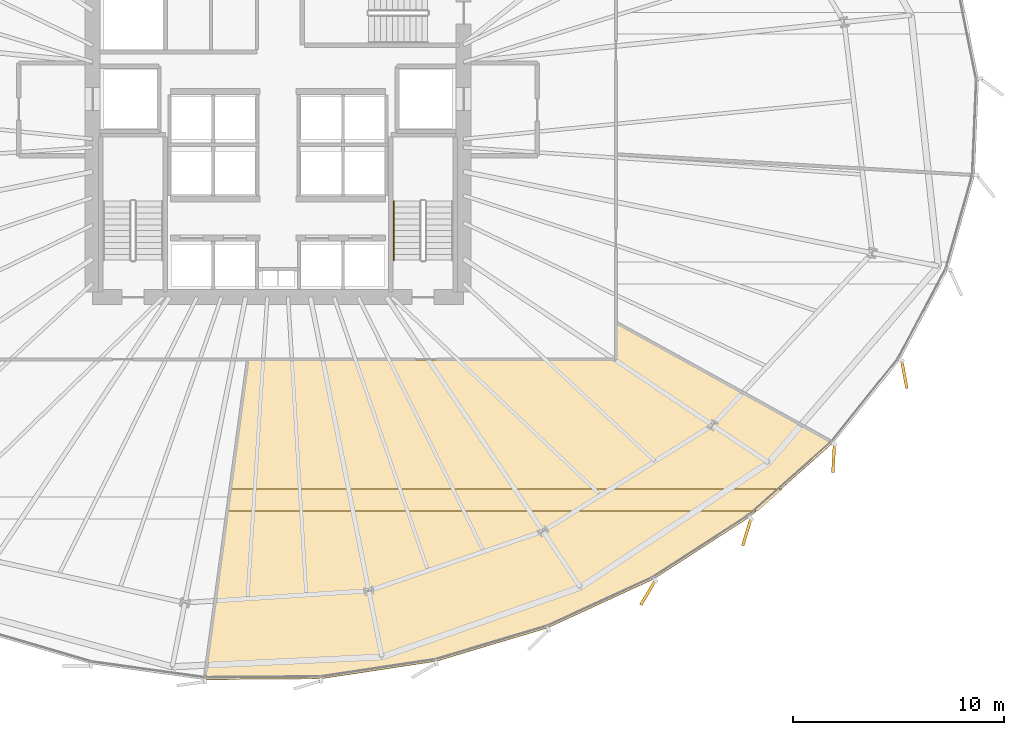
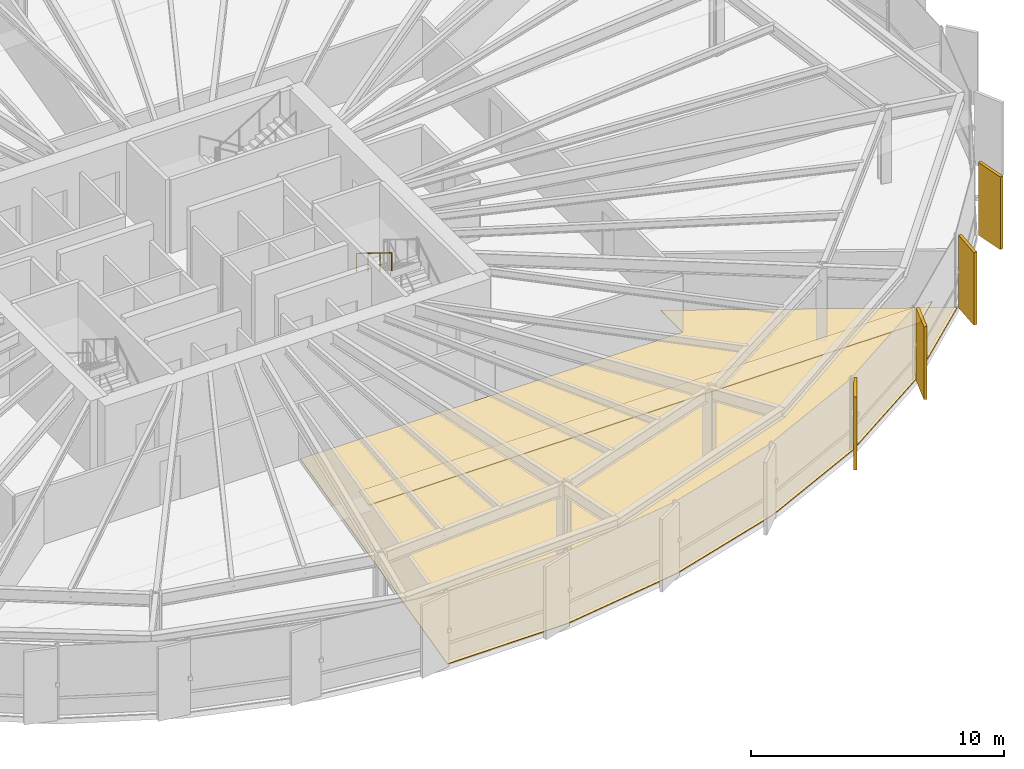
# One storey, part 35 of 37: 6 coverings, 1 railing.
"""IFC4 building model written with IfcOpenShell, lengths in metres."""

from ifc_helpers import new_model, si_unit, direction, frame, origin, origin_2d, place, context, subcontext, project, spatial, polyline, rectangle, circle, outline, extrude, source, transform, mapped, material, layer, layer_set, type_object, element, save


model = new_model("IFC4")

# Units and contexts
model_context = context("Model", 3, precision=1e-05, world=origin(), true_north=direction((0.0, 1.0)))
body_context = subcontext(model_context, "Body", "Model", "MODEL_VIEW")
ifc_project = project(units=[si_unit("LENGTHUNIT", "METRE"), si_unit("AREAUNIT", "SQUARE_METRE"), si_unit("VOLUMEUNIT", "CUBIC_METRE"), si_unit("PLANEANGLEUNIT", "RADIAN"), si_unit("MASSUNIT", "GRAM", prefix="KILO"), si_unit("THERMODYNAMICTEMPERATUREUNIT", "KELVIN")], contexts=[model_context])

# Site, building, storey
site_placement = place(None, origin())
site = spatial("IfcSite", under=ifc_project, at=site_placement, CompositionType="ELEMENT")
building_placement = place(site_placement, origin())
building = spatial("IfcBuilding", under=site, at=building_placement, Name="Kethvar Cultural Tower", CompositionType="ELEMENT")
storey_placement = place(building_placement, frame((0.0, 0.0, 48.60009765625)))
storey = spatial("IfcBuildingStorey", under=building, at=storey_placement, Name="L11", CompositionType="ELEMENT", Elevation=48.60009765625)

# Coverings
ifc_material_1 = material(Name="Acoustic Mineral Fibre Ceiling")
ifc_layer_1 = layer(ifc_material_1, 0.0400390625, Name="Acoustic Mineral Fibre Ceiling")
ifc_layer_set_1 = layer_set([ifc_layer_1], Name="Acoustic Mineral Fibre Ceiling (40 mm)")
covering_type_1 = type_object("IfcCoveringType", Name="CV-ACOUSTIC-CEIL", PredefinedType="CEILING", material=ifc_layer_set_1)
covering_1_placement = place(storey_placement, frame((0.0, 0.0, 2.449951171875)))
element("IfcCovering", 1, at=covering_1_placement, inside=storey, type_object=covering_type_1, Name="L11 Room 02 Acoustic Ceiling Panel", PredefinedType="CEILING", context=body_context, shape_type="SweptSolid", body=[
    extrude(outline(polyline([(44.5244140625, 10.982421875), (70.70751953125, 10.982421875), (69.549560546875, 9.952392578125), (44.385986328125, 9.952392578125), (44.5244140625, 10.982421875)])), origin(), (0.0, 0.0, 1.0), 0.0400390625),
])
ifc_material_2 = material(Name="Honed Warm Limestone", Category="masonry")
ifc_layer_2 = layer(ifc_material_2, 0.030029296875, Name="Honed Warm Limestone", Category="masonry")
ifc_layer_set_2 = layer_set([ifc_layer_2], Name="Honed Warm Limestone (30 mm)")
covering_type_2 = type_object("IfcCoveringType", Name="CV-STONE-FLOOR", PredefinedType="FLOORING", material=ifc_layer_set_2)
covering_2_placement = place(storey_placement, origin())
element("IfcCovering", 2, at=covering_2_placement, inside=storey, type_object=covering_type_2, Name="L11 Room 02 Floor Finish", PredefinedType="FLOORING", context=body_context, shape_type="SweptSolid", body=[
    extrude(outline(polyline([(69.173095703125, 9.671142578125), (64.611083984375, 6.71533203125), (59.597412109375, 4.407470703125), (54.289794921875, 2.818115234375), (48.8310546875, 1.99365234375), (43.35400390625, 1.955810546875), (45.3876953125, 17.1201171875), (62.83203125, 17.1201171875), (62.85009765625, 18.860595703125), (73.101806640625, 13.165283203125), (69.173095703125, 9.671142578125)])), origin(), (0.0, 0.0, 1.0), 0.02978515625),
])

# Railing
ifc_material_3 = material(Name="Steel S355J2", Category="steel")
railing_type = type_object("IfcRailingType", Name="RL-STAIR-HANDRAIL", PredefinedType="HANDRAIL", material=ifc_material_3)
railing_placement = place(storey_placement, frame((52.300048828125, 24.64990234375, 2.072509765625)))
element("IfcRailing", 3, at=railing_placement, inside=storey, type_object=railing_type, Name="L11 ST-02 stair handrail 2", PredefinedType="HANDRAIL", context=body_context, shape_type="SweptSolid", body=[
    extrude(circle(Radius=0.02392578125, at=origin_2d()), frame((0.0, 0.0, 0.8759765625), z_axis=(0.0, -0.851069175582, 0.525053576669), x_axis=(1.0, 0.0, 0.0)), (0.0, 0.0, 1.0), 3.289794921875),
    extrude(circle(Radius=0.02099609375, at=origin_2d()), origin(), (0.0, 0.0, 1.0), 0.851806640625),
    extrude(circle(Radius=0.02099609375, at=origin_2d()), frame((0.0, -0.933349609375, 0.57568359375)), (0.0, 0.0, 1.0), 0.851806640625),
    extrude(circle(Radius=0.02099609375, at=origin_2d()), frame((0.0, -1.866455078125, 1.151611328125)), (0.0, 0.0, 1.0), 0.851806640625),
    extrude(circle(Radius=0.02099609375, at=origin_2d()), frame((0.0, -2.7998046875, 1.727294921875)), (0.0, 0.0, 1.0), 0.851806640625),
])

# Coverings
ifc_material_4 = material(Name="Extruded Architectural Terracotta", Category="masonry")
ifc_layer_3 = layer(ifc_material_4, 0.135009765625, Name="Extruded Architectural Terracotta", Category="masonry")
ifc_layer_set_3 = layer_set([ifc_layer_3], Name="Extruded Architectural Terracotta (135 mm)")
covering_type_3 = type_object("IfcCoveringType", Name="Terracotta Facade Fin FIN-01", PredefinedType="CLADDING", material=ifc_layer_set_3)
shared_shape = source(origin(), body_context, "Body", "SweptSolid", [
    extrude(rectangle(XDim=1.35009765625, YDim=0.135009765625, at=origin_2d()), origin(), (0.0, 0.0, 1.0), 3.510009765625),
])
for number, where, z_axis, x_axis, name in (
    (4, (64.354736328125, 6.073486328125, 0.02001953125), (0.0, 0.0, 1.0), (-0.510993065504, -0.859584834096, 0.0), "L11 Vertical Terracotta Fin 6.1"),
    (5, (69.04248046875, 8.949462890625, 0.02001953125), (0.0, 0.0, 1.0), (-0.290201167351, -0.956965664205, 0.0), "L11 Vertical Terracotta Fin 6.2"),
    (6, (73.160400390625, 12.445068359375, 0.02001953125), (0.0, 0.0, 1.0), (-0.05617002316, -0.998421217973, 0.0), "L11 Vertical Terracotta Fin 6.3"),
    (7, (76.511474609375, 16.4287109375, 0.02001953125), (0.0, 0.0, 1.0), (0.182921922448, -0.983127443564, 0.0), "L11 Vertical Terracotta Fin 6.4"),
):
    element("IfcCovering", number, at=place(storey_placement, frame(where, z_axis=z_axis, x_axis=x_axis)), inside=storey, type_object=covering_type_3, Name=name, PredefinedType="CLADDING", context=body_context, shape_type="MappedRepresentation", body=[
        mapped(shared_shape, transform((0.0, 0.0, 0.0), scale=1.0)),
    ])

save(model, "model.ifc")
